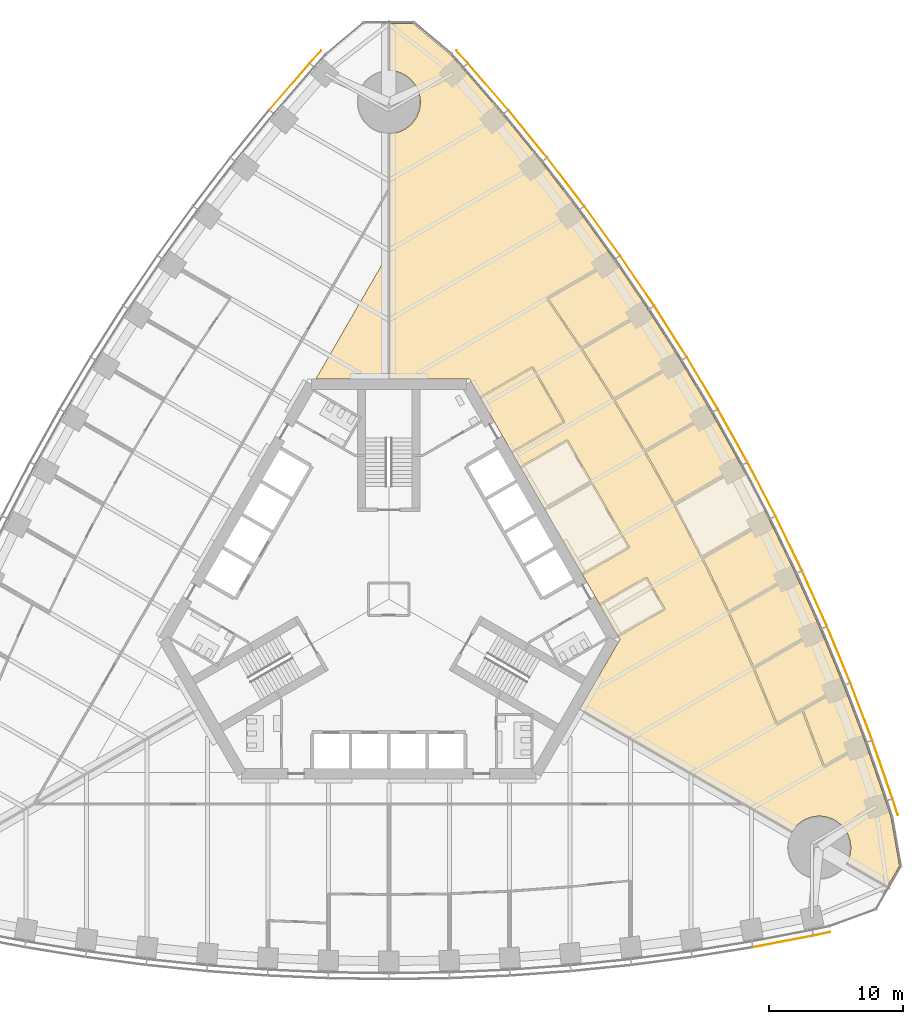
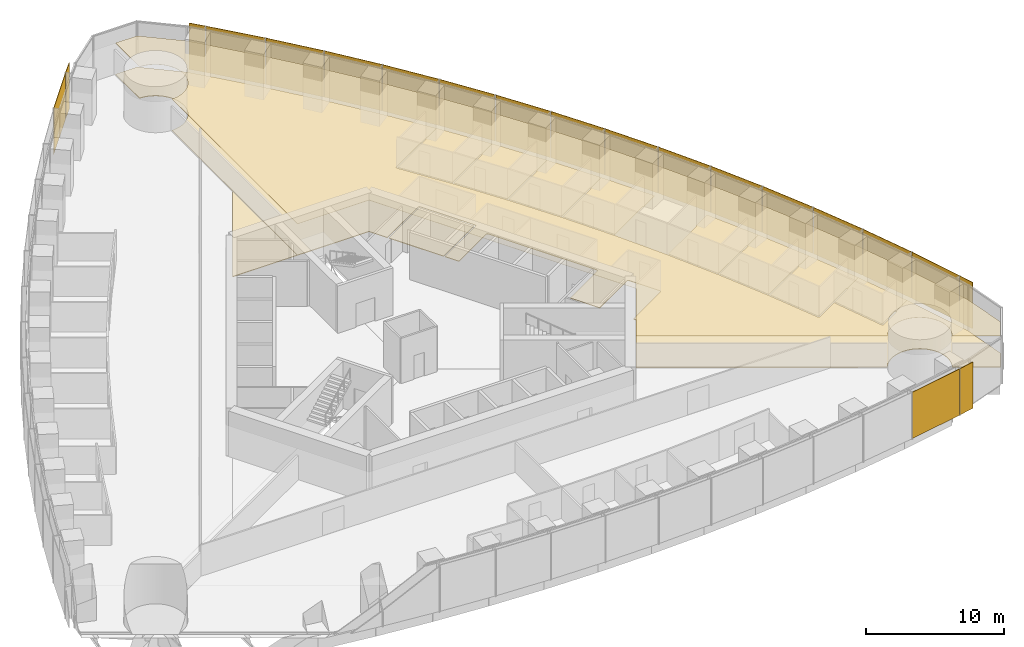
# One storey, part 16 of 18: 20 shading devices, 12 coverings.
"""IFC4 building model written with IfcOpenShell, lengths in metres."""

from ifc_helpers import new_model, si_unit, direction, frame, origin, origin_2d, place, context, subcontext, project, spatial, polyline, rectangle, outline, extrude, material, layer, layer_set, type_object, element, save


model = new_model("IFC4")

# Units and contexts
model_context = context("Model", 3, precision=1e-05, world=origin(), true_north=direction((0.0, 1.0)))
body_context = subcontext(model_context, "Body", "Model", "MODEL_VIEW")
ifc_project = project(units=[si_unit("LENGTHUNIT", "METRE"), si_unit("AREAUNIT", "SQUARE_METRE"), si_unit("VOLUMEUNIT", "CUBIC_METRE"), si_unit("PLANEANGLEUNIT", "RADIAN"), si_unit("MASSUNIT", "GRAM", prefix="KILO")], contexts=[model_context])

# Site, building, storey
site_placement = place(None, origin())
site = spatial("IfcSite", under=ifc_project, at=site_placement, CompositionType="ELEMENT")
building_placement = place(site_placement, origin())
building = spatial("IfcBuilding", under=site, at=building_placement, Name="Trefoil Bronze Tower", CompositionType="ELEMENT")
storey_placement = place(building_placement, frame((0.0, 0.0, 58.5)))
storey = spatial("IfcBuildingStorey", under=building, at=storey_placement, Name="L13", CompositionType="ELEMENT", Elevation=58.5)

# Shading devices
ifc_material_1 = material(Name="Perforated bronze sheet", Category="bronze")
ifc_layer_1 = layer(ifc_material_1, 0.0400390625)
ifc_layer_set_1 = layer_set([ifc_layer_1], Name="Bronze solar screen panel")
shading_device_type = type_object("IfcShadingDeviceType", Name="Bronze solar screen panel", PredefinedType="SHUTTER", material=ifc_layer_set_1)
shading_device_1_placement = place(storey_placement, frame((29.351806640625, -25.478515625, 0.050048828125), z_axis=(0.0, 0.0, 1.0), x_axis=(0.982049823817, 0.188621694249, 0.0)))
element("IfcShadingDevice", 1, at=shading_device_1_placement, inside=storey, type_object=shading_device_type, Name="Solar screen CW-A L13 F1 bay 15", PredefinedType="SHUTTER", context=body_context, shape_type="SweptSolid", body=[
    extrude(rectangle(XDim=4.55224609375, YDim=0.0400390625, at=origin_2d()), origin(), (0.0, 0.0, 1.0), 4.10009765625),
])
for number, where, z_axis, x_axis, name in (
    (2, (32.2431640625, -24.91064453125, 0.050048828125), (0.0, 0.0, 1.0), (0.978302717041, 0.207180582657, 0.0), "Solar screen CW-A L13 F1 bay 16"),
    (3, (37.69482421875, -15.468017578125, 0.050048828125), (0.0, 0.0, 1.0), (-0.309727710769, 0.950825296877, 0.0), "Solar screen CW-A L13 F2 bay 1"),
):
    element("IfcShadingDevice", number, at=place(storey_placement, frame(where, z_axis=z_axis, x_axis=x_axis)), inside=storey, type_object=shading_device_type, Name=name, PredefinedType="SHUTTER", context=body_context, shape_type="SweptSolid", body=[
        extrude(rectangle(XDim=1.260498046875, YDim=0.0400390625, at=origin_2d()), origin(), (0.0, 0.0, 1.0), 4.10009765625),
    ])
shading_device_2_placement = place(storey_placement, frame((36.740966796875, -12.68017578125, 0.050048828125), z_axis=(0.0, 0.0, 1.0), x_axis=(-0.327673732984, 0.944790942332, 0.0)))
element("IfcShadingDevice", 4, at=shading_device_2_placement, inside=storey, type_object=shading_device_type, Name="Solar screen CW-A L13 F2 bay 2", PredefinedType="SHUTTER", context=body_context, shape_type="SweptSolid", body=[
    extrude(rectangle(XDim=4.55224609375, YDim=0.0400390625, at=origin_2d()), origin(), (0.0, 0.0, 1.0), 4.10009765625),
])
shading_device_3_placement = place(storey_placement, frame((35.1748046875, -8.3701171875, 0.050048828125), z_axis=(0.0, 0.0, 1.0), x_axis=(-0.355370585687, 0.934725492767, 0.0)))
element("IfcShadingDevice", 5, at=shading_device_3_placement, inside=storey, type_object=shading_device_type, Name="Solar screen CW-A L13 F2 bay 3", PredefinedType="SHUTTER", context=body_context, shape_type="SweptSolid", body=[
    extrude(rectangle(XDim=4.5283203125, YDim=0.0400390625, at=origin_2d()), origin(), (0.0, 0.0, 1.0), 4.10009765625),
])
shading_device_4_placement = place(storey_placement, frame((33.49072265625, -4.128173828125, 0.050048828125), z_axis=(0.0, 0.0, 1.0), x_axis=(-0.382629580712, 0.923901836758, 0.0)))
element("IfcShadingDevice", 6, at=shading_device_4_placement, inside=storey, type_object=shading_device_type, Name="Solar screen CW-A L13 F2 bay 4", PredefinedType="SHUTTER", context=body_context, shape_type="SweptSolid", body=[
    extrude(rectangle(XDim=4.5087890625, YDim=0.0400390625, at=origin_2d()), origin(), (0.0, 0.0, 1.0), 4.10009765625),
])
shading_device_5_placement = place(storey_placement, frame((31.68994140625, 0.04638671875, 0.050048828125), z_axis=(0.0, 0.0, 1.0), x_axis=(-0.40945635808, 0.912329705111, 0.0)))
element("IfcShadingDevice", 7, at=shading_device_5_placement, inside=storey, type_object=shading_device_type, Name="Solar screen CW-A L13 F2 bay 5", PredefinedType="SHUTTER", context=body_context, shape_type="SweptSolid", body=[
    extrude(rectangle(XDim=4.493408203125, YDim=0.0400390625, at=origin_2d()), origin(), (0.0, 0.0, 1.0), 4.10009765625),
])
shading_device_6_placement = place(storey_placement, frame((29.77392578125, 4.154541015625, 0.050048828125), z_axis=(0.0, 0.0, 1.0), x_axis=(-0.4358553457, 0.900016731858, 0.0)))
element("IfcShadingDevice", 8, at=shading_device_6_placement, inside=storey, type_object=shading_device_type, Name="Solar screen CW-A L13 F2 bay 6", PredefinedType="SHUTTER", context=body_context, shape_type="SweptSolid", body=[
    extrude(rectangle(XDim=4.48193359375, YDim=0.0400390625, at=origin_2d()), origin(), (0.0, 0.0, 1.0), 4.10009765625),
])
shading_device_7_placement = place(storey_placement, frame((27.74365234375, 8.1962890625, 0.050048828125), z_axis=(0.0, 0.0, 1.0), x_axis=(-0.46182981834, 0.886968555752, 0.0)))
element("IfcShadingDevice", 9, at=shading_device_7_placement, inside=storey, type_object=shading_device_type, Name="Solar screen CW-A L13 F2 bay 7", PredefinedType="SHUTTER", context=body_context, shape_type="SweptSolid", body=[
    extrude(rectangle(XDim=4.474365234375, YDim=0.0400390625, at=origin_2d()), origin(), (0.0, 0.0, 1.0), 4.10009765625),
])
for number, where, z_axis, x_axis, name in (
    (10, (25.599365234375, 12.172607421875, 0.050048828125), (0.0, 0.0, 1.0), (-0.487381940453, 0.873188893722, 0.0), "Solar screen CW-A L13 F2 bay 8"),
    (11, (23.341552734375, 16.083251953125, 0.050048828125), (0.0, 0.0, 1.0), (-0.51251279404, 0.858679588639, 0.0), "Solar screen CW-A L13 F2 bay 9"),
):
    element("IfcShadingDevice", number, at=place(storey_placement, frame(where, z_axis=z_axis, x_axis=x_axis)), inside=storey, type_object=shading_device_type, Name=name, PredefinedType="SHUTTER", context=body_context, shape_type="SweptSolid", body=[
        extrude(rectangle(XDim=4.470458984375, YDim=0.0400390625, at=origin_2d()), origin(), (0.0, 0.0, 1.0), 4.10009765625),
    ])
shading_device_8_placement = place(storey_placement, frame((20.97021484375, 19.928466796875, 0.050048828125), z_axis=(0.0, 0.0, 1.0), x_axis=(-0.537222392469, 0.843440632783, 0.0)))
element("IfcShadingDevice", 12, at=shading_device_8_placement, inside=storey, type_object=shading_device_type, Name="Solar screen CW-A L13 F2 bay 10", PredefinedType="SHUTTER", context=body_context, shape_type="SweptSolid", body=[
    extrude(rectangle(XDim=4.474365234375, YDim=0.0400390625, at=origin_2d()), origin(), (0.0, 0.0, 1.0), 4.10009765625),
])
shading_device_9_placement = place(storey_placement, frame((18.48486328125, 23.707763671875, 0.050048828125), z_axis=(0.0, 0.0, 1.0), x_axis=(-0.56150968077, 0.827470167681, 0.0)))
element("IfcShadingDevice", 13, at=shading_device_9_placement, inside=storey, type_object=shading_device_type, Name="Solar screen CW-A L13 F2 bay 11", PredefinedType="SHUTTER", context=body_context, shape_type="SweptSolid", body=[
    extrude(rectangle(XDim=4.48193359375, YDim=0.0400390625, at=origin_2d()), origin(), (0.0, 0.0, 1.0), 4.10009765625),
])
shading_device_10_placement = place(storey_placement, frame((15.88525390625, 27.421142578125, 0.050048828125), z_axis=(0.0, 0.0, 1.0), x_axis=(-0.585372522213, 0.810764460394, 0.0)))
element("IfcShadingDevice", 14, at=shading_device_10_placement, inside=storey, type_object=shading_device_type, Name="Solar screen CW-A L13 F2 bay 12", PredefinedType="SHUTTER", context=body_context, shape_type="SweptSolid", body=[
    extrude(rectangle(XDim=4.493408203125, YDim=0.0400390625, at=origin_2d()), origin(), (0.0, 0.0, 1.0), 4.10009765625),
])
shading_device_11_placement = place(storey_placement, frame((13.170166015625, 31.06787109375, 0.050048828125), z_axis=(0.0, 0.0, 1.0), x_axis=(-0.608807670879, 0.793317855515, 0.0)))
element("IfcShadingDevice", 15, at=shading_device_11_placement, inside=storey, type_object=shading_device_type, Name="Solar screen CW-A L13 F2 bay 13", PredefinedType="SHUTTER", context=body_context, shape_type="SweptSolid", body=[
    extrude(rectangle(XDim=4.5087890625, YDim=0.0400390625, at=origin_2d()), origin(), (0.0, 0.0, 1.0), 4.10009765625),
])
shading_device_12_placement = place(storey_placement, frame((10.338623046875, 34.6474609375, 0.050048828125), z_axis=(0.0, 0.0, 1.0), x_axis=(-0.631810729457, 0.775122701346, 0.0)))
element("IfcShadingDevice", 16, at=shading_device_12_placement, inside=storey, type_object=shading_device_type, Name="Solar screen CW-A L13 F2 bay 14", PredefinedType="SHUTTER", context=body_context, shape_type="SweptSolid", body=[
    extrude(rectangle(XDim=4.5283203125, YDim=0.0400390625, at=origin_2d()), origin(), (0.0, 0.0, 1.0), 4.10009765625),
])
shading_device_13_placement = place(storey_placement, frame((7.38916015625, 38.15869140625, 0.050048828125), z_axis=(0.0, 0.0, 1.0), x_axis=(-0.654376090833, 0.756169248083, 0.0)))
element("IfcShadingDevice", 17, at=shading_device_13_placement, inside=storey, type_object=shading_device_type, Name="Solar screen CW-A L13 F2 bay 15", PredefinedType="SHUTTER", context=body_context, shape_type="SweptSolid", body=[
    extrude(rectangle(XDim=4.55224609375, YDim=0.0400390625, at=origin_2d()), origin(), (0.0, 0.0, 1.0), 4.10009765625),
])
for number, where, z_axis, x_axis, name in (
    (18, (5.45166015625, 40.378662109375, 0.050048828125), (0.0, 0.0, 1.0), (-0.668575006272, 0.743644714221, 0.0), "Solar screen CW-A L13 F2 bay 16"),
    (19, (-5.45166015625, 40.378662109375, 0.050048828125), (0.0, 0.0, 1.0), (-0.668575006272, -0.743644714221, 0.0), "Solar screen CW-A L13 F3 bay 1"),
):
    element("IfcShadingDevice", number, at=place(storey_placement, frame(where, z_axis=z_axis, x_axis=x_axis)), inside=storey, type_object=shading_device_type, Name=name, PredefinedType="SHUTTER", context=body_context, shape_type="SweptSolid", body=[
        extrude(rectangle(XDim=1.260498046875, YDim=0.0400390625, at=origin_2d()), origin(), (0.0, 0.0, 1.0), 4.10009765625),
    ])
shading_device_14_placement = place(storey_placement, frame((-7.38916015625, 38.15869140625, 0.050048828125), z_axis=(0.0, 0.0, 1.0), x_axis=(-0.654376090833, -0.756169248083, 0.0)))
element("IfcShadingDevice", 20, at=shading_device_14_placement, inside=storey, type_object=shading_device_type, Name="Solar screen CW-A L13 F3 bay 2", PredefinedType="SHUTTER", context=body_context, shape_type="SweptSolid", body=[
    extrude(rectangle(XDim=4.55224609375, YDim=0.0400390625, at=origin_2d()), origin(), (0.0, 0.0, 1.0), 4.10009765625),
])

# Coverings
ifc_material_2 = material(Name="Acoustic ceiling panels", Category="mineral fibre")
ifc_layer_2 = layer(ifc_material_2, 0.02001953125)
ifc_layer_set_2 = layer_set([ifc_layer_2], Name="Office ceiling 20")
covering_type_1 = type_object("IfcCoveringType", Name="Office ceiling 20", PredefinedType="CEILING", material=ifc_layer_set_2)
covering_1_placement = place(storey_placement, frame((0.0, 0.0, 2.89990234375)))
element("IfcCovering", 21, at=covering_1_placement, inside=storey, type_object=covering_type_1, Name="Ceiling L13 Open-plan office F2", PredefinedType="CEILING", context=body_context, shape_type="SweptSolid", body=[
    extrude(outline(polyline([(5.4814453125, 39.537841796875), (8.47998046875, 36.072998046875), (11.360107421875, 32.53955078125), (14.123291015625, 28.938720703125), (16.771240234375, 25.271484375), (19.3046875, 21.537841796875), (21.724609375, 17.73876953125), (24.031005859375, 13.87451171875), (26.224609375, 9.944580078125), (28.3046875, 5.949462890625), (30.271240234375, 1.888671875), (32.123291015625, -2.23828125), (33.860107421875, -6.431640625), (35.47998046875, -10.6923828125), (36.9814453125, -15.021728515625), (37.381103515625, -16.248779296875), (38.0146484375, -19.841552734375), (37.110595703125, -21.4072265625), (34.084716796875, -19.661865234375), (34.115478515625, -19.60791015625), (34.167236328125, -19.5048828125), (34.214111328125, -19.3994140625), (34.255615234375, -19.291748046875), (34.291748046875, -19.18212890625), (34.322509765625, -19.071044921875), (34.347900390625, -18.95849609375), (34.367431640625, -18.8447265625), (34.381591796875, -18.730224609375), (34.39013671875, -18.615234375), (34.392822265625, -18.5), (34.39013671875, -18.384765625), (34.381591796875, -18.269775390625), (34.367431640625, -18.1552734375), (34.347900390625, -18.04150390625), (34.322509765625, -17.928955078125), (34.291748046875, -17.81787109375), (34.255615234375, -17.708251953125), (34.214111328125, -17.6005859375), (34.167236328125, -17.4951171875), (34.115478515625, -17.39208984375), (34.05859375, -17.2919921875), (33.996826171875, -17.1943359375), (33.930419921875, -17.10009765625), (33.859619140625, -17.00927734375), (33.7841796875, -16.921875), (33.70458984375, -16.83837890625), (33.62109375, -16.7587890625), (33.53369140625, -16.683349609375), (33.44287109375, -16.612548828125), (33.348388671875, -16.5458984375), (33.251220703125, -16.484375), (33.150634765625, -16.427490234375), (33.047607421875, -16.37548828125), (32.942138671875, -16.328857421875), (32.834716796875, -16.287353515625), (32.72509765625, -16.251220703125), (32.614013671875, -16.220458984375), (32.50146484375, -16.1953125), (32.3876953125, -16.17529296875), (32.273193359375, -16.161376953125), (32.158203125, -16.15283203125), (32.04296875, -16.14990234375), (31.927490234375, -16.15283203125), (31.8125, -16.161376953125), (31.697998046875, -16.17529296875), (31.58447265625, -16.1953125), (31.471923828125, -16.220458984375), (31.36083984375, -16.251220703125), (31.251220703125, -16.287353515625), (31.1435546875, -16.328857421875), (31.0380859375, -16.37548828125), (30.935302734375, -16.427490234375), (30.834716796875, -16.484375), (30.7373046875, -16.5458984375), (30.64306640625, -16.612548828125), (30.552001953125, -16.683349609375), (30.46484375, -16.7587890625), (30.381103515625, -16.83837890625), (30.3017578125, -16.921875), (30.226318359375, -17.00927734375), (30.155517578125, -17.10009765625), (30.089111328125, -17.1943359375), (30.02734375, -17.2919921875), (30.0146484375, -17.31396484375), (14.205810546875, -8.194580078125), (17.205078125, -3.0), (6.00439453125, 16.39990234375), (0.006103515625, 16.39990234375), (0.012939453125, 34.650390625), (0.115234375, 34.65283203125), (0.230224609375, 34.661376953125), (0.3447265625, 34.67529296875), (0.45849609375, 34.6953125), (0.571044921875, 34.720458984375), (0.68212890625, 34.751220703125), (0.791748046875, 34.787353515625), (0.8994140625, 34.828857421875), (1.0048828125, 34.87548828125), (1.10791015625, 34.927490234375), (1.2080078125, 34.984375), (1.3056640625, 35.0458984375), (1.39990234375, 35.112548828125), (1.49072265625, 35.183349609375), (1.578125, 35.2587890625), (1.66162109375, 35.33837890625), (1.7412109375, 35.421875), (1.816650390625, 35.50927734375), (1.887451171875, 35.60009765625), (1.9541015625, 35.6943359375), (2.015625, 35.7919921875), (2.072509765625, 35.89208984375), (2.12451171875, 35.9951171875), (2.171142578125, 36.1005859375), (2.212646484375, 36.208251953125), (2.248779296875, 36.31787109375), (2.279541015625, 36.428955078125), (2.3046875, 36.54150390625), (2.32470703125, 36.6552734375), (2.338623046875, 36.769775390625), (2.34716796875, 36.884765625), (2.35009765625, 37.0), (2.34716796875, 37.115234375), (2.338623046875, 37.230224609375), (2.32470703125, 37.3447265625), (2.3046875, 37.45849609375), (2.279541015625, 37.571044921875), (2.248779296875, 37.68212890625), (2.212646484375, 37.791748046875), (2.171142578125, 37.8994140625), (2.12451171875, 38.0048828125), (2.072509765625, 38.10791015625), (2.015625, 38.2080078125), (1.9541015625, 38.3056640625), (1.887451171875, 38.39990234375), (1.816650390625, 38.49072265625), (1.7412109375, 38.578125), (1.66162109375, 38.66162109375), (1.578125, 38.7412109375), (1.49072265625, 38.816650390625), (1.39990234375, 38.887451171875), (1.3056640625, 38.9541015625), (1.2080078125, 39.015625), (1.10791015625, 39.072509765625), (1.0048828125, 39.12451171875), (0.8994140625, 39.171142578125), (0.791748046875, 39.212646484375), (0.68212890625, 39.248779296875), (0.571044921875, 39.279541015625), (0.45849609375, 39.3046875), (0.3447265625, 39.32470703125), (0.230224609375, 39.338623046875), (0.115234375, 39.34716796875), (0.014892578125, 39.349609375), (0.01611328125, 42.84228515625), (1.82421875, 42.84228515625), (4.618896484375, 40.497314453125), (5.4814453125, 39.537841796875)])), origin(), (0.0, 0.0, 1.0), 0.02001953125),
])
ifc_material_3 = material(Name="Raised access floor panels", Category="steel")
ifc_layer_3 = layer(ifc_material_3, 0.050048828125)
ifc_layer_set_3 = layer_set([ifc_layer_3], Name="Raised access floor 150")
covering_type_2 = type_object("IfcCoveringType", Name="Raised access floor 150", PredefinedType="FLOORING", material=ifc_layer_set_3)
covering_2_placement = place(storey_placement, frame((0.0, 0.0, 0.10009765625)))
element("IfcCovering", 22, at=covering_2_placement, inside=storey, type_object=covering_type_2, Name="Raised floor L13 Reception F2", PredefinedType="FLOORING", context=body_context, shape_type="SweptSolid", body=[
    extrude(outline(polyline([(6.834716796875, 14.9619140625), (10.679931640625, 17.181884765625), (12.969970703125, 13.215576171875), (9.124755859375, 10.99560546875), (6.834716796875, 14.9619140625)])), origin(), (0.0, 0.0, 1.0), 0.0498046875),
])
covering_3_placement = place(storey_placement, frame((0.0, 0.0, 0.10009765625)))
element("IfcCovering", 23, at=covering_3_placement, inside=storey, type_object=covering_type_2, Name="Raised floor L13 Office F2", PredefinedType="FLOORING", context=body_context, shape_type="SweptSolid", body=[
    extrude(outline(polyline([(16.771240234375, 25.271484375), (19.3046875, 21.537841796875), (17.93408203125, 20.74658203125), (17.904052734375, 20.798583984375), (14.343505859375, 18.742919921875), (11.87744140625, 22.376708984375), (15.427734375, 24.426513671875), (15.397705078125, 24.478515625), (16.771240234375, 25.271484375)])), origin(), (0.0, 0.0, 1.0), 0.0498046875),
])
covering_4_placement = place(storey_placement, frame((0.0, 0.0, 0.10009765625)))
element("IfcCovering", 24, at=covering_4_placement, inside=storey, type_object=covering_type_2, Name="Raised floor L13 Office F2", PredefinedType="FLOORING", context=body_context, shape_type="SweptSolid", body=[
    extrude(outline(polyline([(21.724609375, 17.73876953125), (20.355712890625, 16.948486328125), (20.32568359375, 17.00048828125), (16.7646484375, 14.944580078125), (14.409423828125, 18.642333984375), (17.964111328125, 20.694580078125), (17.93408203125, 20.74658203125), (19.3046875, 21.537841796875), (21.724609375, 17.73876953125)])), origin(), (0.0, 0.0, 1.0), 0.0498046875),
])
covering_5_placement = place(storey_placement, frame((0.0, 0.0, 0.10009765625)))
element("IfcCovering", 25, at=covering_5_placement, inside=storey, type_object=covering_type_2, Name="Raised floor L13 Office F2", PredefinedType="FLOORING", context=body_context, shape_type="SweptSolid", body=[
    extrude(outline(polyline([(21.724609375, 17.73876953125), (24.031005859375, 13.87451171875), (22.662841796875, 13.08447265625), (22.6328125, 13.13623046875), (19.07275390625, 11.080810546875), (16.82763671875, 14.84228515625), (20.385498046875, 16.896484375), (20.355712890625, 16.948486328125), (21.724609375, 17.73876953125)])), origin(), (0.0, 0.0, 1.0), 0.0498046875),
])
covering_6_placement = place(storey_placement, frame((0.0, 0.0, 0.10009765625)))
element("IfcCovering", 26, at=covering_6_placement, inside=storey, type_object=covering_type_2, Name="Raised floor L13 Office F2", PredefinedType="FLOORING", context=body_context, shape_type="SweptSolid", body=[
    extrude(outline(polyline([(24.031005859375, 13.87451171875), (26.224609375, 9.944580078125), (24.855712890625, 9.154296875), (24.82568359375, 9.206298828125), (21.267578125, 7.152099609375), (19.1328125, 10.97705078125), (22.69287109375, 13.032470703125), (22.662841796875, 13.08447265625), (24.031005859375, 13.87451171875)])), origin(), (0.0, 0.0, 1.0), 0.0498046875),
])
covering_7_placement = place(storey_placement, frame((0.0, 0.0, 0.10009765625)))
element("IfcCovering", 27, at=covering_7_placement, inside=storey, type_object=covering_type_2, Name="Raised floor L13 Office F2", PredefinedType="FLOORING", context=body_context, shape_type="SweptSolid", body=[
    extrude(outline(polyline([(28.3046875, 5.949462890625), (30.271240234375, 1.888671875), (28.897705078125, 1.095703125), (28.867919921875, 1.147705078125), (25.3173828125, -0.902099609375), (23.4033203125, 3.05029296875), (26.964111328125, 5.106201171875), (26.93408203125, 5.158203125), (28.3046875, 5.949462890625)])), origin(), (0.0, 0.0, 1.0), 0.0498046875),
])
covering_8_placement = place(storey_placement, frame((0.0, 0.0, 0.10009765625)))
element("IfcCovering", 28, at=covering_8_placement, inside=storey, type_object=covering_type_2, Name="Raised floor L13 Office F2", PredefinedType="FLOORING", context=body_context, shape_type="SweptSolid", body=[
    extrude(outline(polyline([(32.123291015625, -2.23828125), (30.745849609375, -3.033447265625), (30.7158203125, -2.9814453125), (27.17138671875, -5.028076171875), (25.36865234375, -1.01123046875), (28.927734375, 1.043701171875), (28.897705078125, 1.095703125), (30.271240234375, 1.888671875), (32.123291015625, -2.23828125)])), origin(), (0.0, 0.0, 1.0), 0.0498046875),
])
covering_9_placement = place(storey_placement, frame((0.0, 0.0, 0.10009765625)))
element("IfcCovering", 29, at=covering_9_placement, inside=storey, type_object=covering_type_2, Name="Raised floor L13 Office F2", PredefinedType="FLOORING", context=body_context, shape_type="SweptSolid", body=[
    extrude(outline(polyline([(32.123291015625, -2.23828125), (33.860107421875, -6.431640625), (32.477294921875, -7.22998046875), (32.447265625, -7.177978515625), (28.90966796875, -9.220458984375), (27.21923828125, -5.138916015625), (30.77587890625, -3.08544921875), (30.745849609375, -3.033447265625), (32.123291015625, -2.23828125)])), origin(), (0.0, 0.0, 1.0), 0.0498046875),
])
covering_10_placement = place(storey_placement, frame((0.0, 0.0, 0.10009765625)))
element("IfcCovering", 30, at=covering_10_placement, inside=storey, type_object=covering_type_2, Name="Raised floor L13 Print and store room F2", PredefinedType="FLOORING", context=body_context, shape_type="SweptSolid", body=[
    extrude(outline(polyline([(33.860107421875, -6.431640625), (35.47998046875, -10.6923828125), (34.090576171875, -11.49462890625), (34.060546875, -11.442626953125), (32.423583984375, -12.3876953125), (30.846923828125, -8.240478515625), (32.507080078125, -7.281982421875), (32.477294921875, -7.22998046875), (33.860107421875, -6.431640625)])), origin(), (0.0, 0.0, 1.0), 0.0498046875),
])
covering_11_placement = place(storey_placement, frame((0.0, 0.0, 0.10009765625)))
element("IfcCovering", 31, at=covering_11_placement, inside=storey, type_object=covering_type_2, Name="Raised floor L13 Open-plan office F2", PredefinedType="FLOORING", context=body_context, shape_type="SweptSolid", body=[
    extrude(outline(polyline([(16.771240234375, 25.271484375), (15.397705078125, 24.478515625), (15.367919921875, 24.5302734375), (11.76171875, 22.4482421875), (11.79150390625, 22.396484375), (11.741943359375, 22.36279296875), (14.27490234375, 18.6298828125), (16.69384765625, 14.832275390625), (18.99951171875, 10.969482421875), (21.192138671875, 7.041015625), (23.271484375, 3.047607421875), (25.2373046875, -1.01171875), (27.088623046875, -5.136962890625), (28.824951171875, -9.32958984375), (28.880615234375, -9.306640625), (28.910400390625, -9.358642578125), (30.74169921875, -8.30126953125), (32.336669921875, -12.496337890625), (32.392578125, -12.47509765625), (32.422607421875, -12.527099609375), (34.12060546875, -11.546630859375), (34.090576171875, -11.49462890625), (35.47998046875, -10.6923828125), (36.9814453125, -15.021728515625), (37.381103515625, -16.248779296875), (38.0146484375, -19.841552734375), (37.110595703125, -21.4072265625), (34.084716796875, -19.661865234375), (34.115478515625, -19.60791015625), (34.167236328125, -19.5048828125), (34.214111328125, -19.3994140625), (34.255615234375, -19.291748046875), (34.291748046875, -19.18212890625), (34.322509765625, -19.071044921875), (34.347900390625, -18.95849609375), (34.367431640625, -18.8447265625), (34.381591796875, -18.730224609375), (34.39013671875, -18.615234375), (34.392822265625, -18.5), (34.39013671875, -18.384765625), (34.381591796875, -18.269775390625), (34.367431640625, -18.1552734375), (34.347900390625, -18.04150390625), (34.322509765625, -17.928955078125), (34.291748046875, -17.81787109375), (34.255615234375, -17.708251953125), (34.214111328125, -17.6005859375), (34.167236328125, -17.4951171875), (34.115478515625, -17.39208984375), (34.05859375, -17.2919921875), (33.996826171875, -17.1943359375), (33.930419921875, -17.10009765625), (33.859619140625, -17.00927734375), (33.7841796875, -16.921875), (33.70458984375, -16.83837890625), (33.62109375, -16.7587890625), (33.53369140625, -16.683349609375), (33.44287109375, -16.612548828125), (33.348388671875, -16.5458984375), (33.251220703125, -16.484375), (33.150634765625, -16.427490234375), (33.047607421875, -16.37548828125), (32.942138671875, -16.328857421875), (32.834716796875, -16.287353515625), (32.72509765625, -16.251220703125), (32.614013671875, -16.220458984375), (32.50146484375, -16.1953125), (32.3876953125, -16.17529296875), (32.273193359375, -16.161376953125), (32.158203125, -16.15283203125), (32.04296875, -16.14990234375), (31.927490234375, -16.15283203125), (31.8125, -16.161376953125), (31.697998046875, -16.17529296875), (31.58447265625, -16.1953125), (31.471923828125, -16.220458984375), (31.36083984375, -16.251220703125), (31.251220703125, -16.287353515625), (31.1435546875, -16.328857421875), (31.0380859375, -16.37548828125), (30.935302734375, -16.427490234375), (30.834716796875, -16.484375), (30.7373046875, -16.5458984375), (30.64306640625, -16.612548828125), (30.552001953125, -16.683349609375), (30.46484375, -16.7587890625), (30.381103515625, -16.83837890625), (30.3017578125, -16.921875), (30.226318359375, -17.00927734375), (30.155517578125, -17.10009765625), (30.089111328125, -17.1943359375), (30.02734375, -17.2919921875), (30.0146484375, -17.31396484375), (14.205810546875, -8.194580078125), (17.205078125, -3.0), (17.084716796875, -2.79150390625), (20.548828125, -0.79150390625), (20.518798828125, -0.73974609375), (20.57080078125, -0.709716796875), (19.220703125, 1.628662109375), (19.168701171875, 1.5986328125), (19.138916015625, 1.650634765625), (15.6748046875, -0.349365234375), (14.434814453125, 1.79833984375), (17.898681640625, 3.79833984375), (17.868896484375, 3.850341796875), (17.9208984375, 3.88037109375), (13.32080078125, 11.84765625), (13.268798828125, 11.817626953125), (13.23876953125, 11.86962890625), (9.774658203125, 9.86962890625), (9.184814453125, 10.8916015625), (13.081787109375, 13.1416015625), (13.052001953125, 13.193603515625), (13.103759765625, 13.223388671875), (10.75390625, 17.293701171875), (10.701904296875, 17.263916015625), (10.671875, 17.31591796875), (6.774658203125, 15.06591796875), (6.00439453125, 16.39990234375), (0.006103515625, 16.39990234375), (0.012939453125, 34.650390625), (0.115234375, 34.65283203125), (0.230224609375, 34.661376953125), (0.3447265625, 34.67529296875), (0.45849609375, 34.6953125), (0.571044921875, 34.720458984375), (0.68212890625, 34.751220703125), (0.791748046875, 34.787353515625), (0.8994140625, 34.828857421875), (1.0048828125, 34.87548828125), (1.10791015625, 34.927490234375), (1.2080078125, 34.984375), (1.3056640625, 35.0458984375), (1.39990234375, 35.112548828125), (1.49072265625, 35.183349609375), (1.578125, 35.2587890625), (1.66162109375, 35.33837890625), (1.7412109375, 35.421875), (1.816650390625, 35.50927734375), (1.887451171875, 35.60009765625), (1.9541015625, 35.6943359375), (2.015625, 35.7919921875), (2.072509765625, 35.89208984375), (2.12451171875, 35.9951171875), (2.171142578125, 36.1005859375), (2.212646484375, 36.208251953125), (2.248779296875, 36.31787109375), (2.279541015625, 36.428955078125), (2.3046875, 36.54150390625), (2.32470703125, 36.6552734375), (2.338623046875, 36.769775390625), (2.34716796875, 36.884765625), (2.35009765625, 37.0), (2.34716796875, 37.115234375), (2.338623046875, 37.230224609375), (2.32470703125, 37.3447265625), (2.3046875, 37.45849609375), (2.279541015625, 37.571044921875), (2.248779296875, 37.68212890625), (2.212646484375, 37.791748046875), (2.171142578125, 37.8994140625), (2.12451171875, 38.0048828125), (2.072509765625, 38.10791015625), (2.015625, 38.2080078125), (1.9541015625, 38.3056640625), (1.887451171875, 38.39990234375), (1.816650390625, 38.49072265625), (1.7412109375, 38.578125), (1.66162109375, 38.66162109375), (1.578125, 38.7412109375), (1.49072265625, 38.816650390625), (1.39990234375, 38.887451171875), (1.3056640625, 38.9541015625), (1.2080078125, 39.015625), (1.10791015625, 39.072509765625), (1.0048828125, 39.12451171875), (0.8994140625, 39.171142578125), (0.791748046875, 39.212646484375), (0.68212890625, 39.248779296875), (0.571044921875, 39.279541015625), (0.45849609375, 39.3046875), (0.3447265625, 39.32470703125), (0.230224609375, 39.338623046875), (0.115234375, 39.34716796875), (0.014892578125, 39.349609375), (0.01611328125, 42.84228515625), (1.82421875, 42.84228515625), (4.618896484375, 40.497314453125), (5.4814453125, 39.537841796875), (8.47998046875, 36.072998046875), (11.360107421875, 32.53955078125), (14.123291015625, 28.938720703125), (16.771240234375, 25.271484375)])), origin(), (0.0, 0.0, 1.0), 0.0498046875),
])
covering_12_placement = place(storey_placement, frame((0.0, 0.0, 0.10009765625)))
element("IfcCovering", 32, at=covering_12_placement, inside=storey, type_object=covering_type_2, Name="Raised floor L13 Open-plan office F3", PredefinedType="FLOORING", context=body_context, shape_type="SweptSolid", body=[
    extrude(outline(polyline([(-0.006103515625, 16.39990234375), (-5.427001953125, 16.39990234375), (-0.009765625, 25.783203125), (-0.006103515625, 16.39990234375)])), origin(), (0.0, 0.0, 1.0), 0.0498046875),
])

save(model, "model.ifc")
